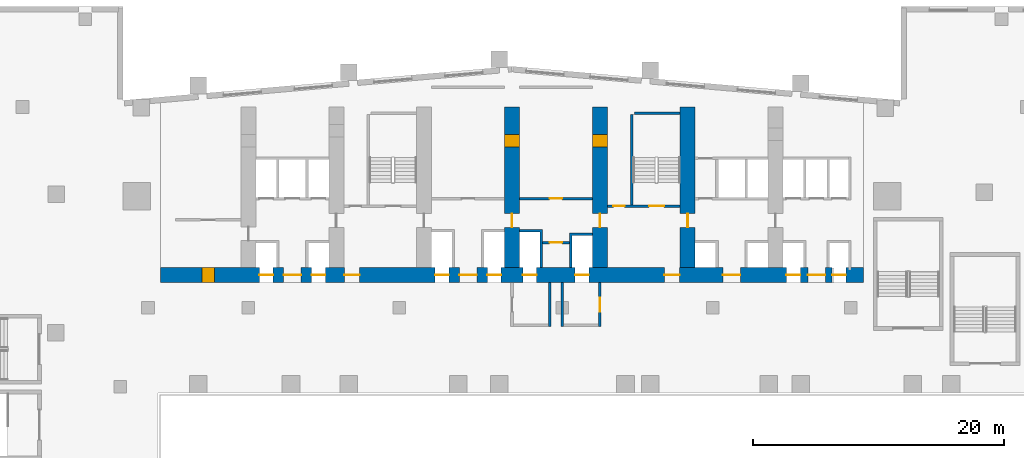
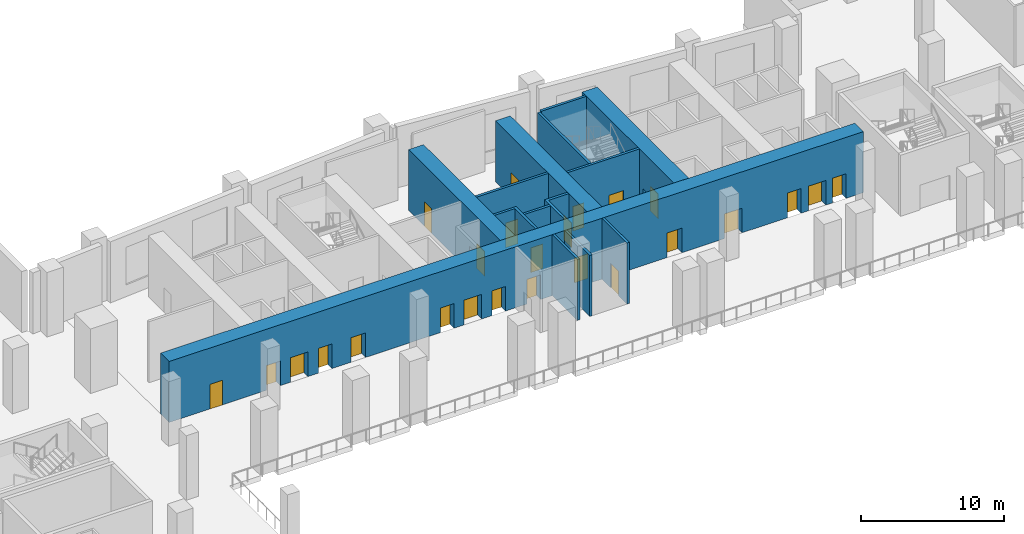
# One storey, part 15 of 25: 25 doors, 14 walls, 25 openings.
"""IFC4 building model written with IfcOpenShell, lengths in metres."""

from ifc_helpers import new_model, si_unit, direction, frame, frame_2d, origin, place, context, subcontext, project, spatial, polyline, rectangle, outline, extrude, material, layer, layer_set, type_object, element, fill, save


model = new_model("IFC4")

# Units and contexts
model_context = context("Model", 3, precision=1e-05, world=origin(), true_north=direction((0.0, 1.0)))
body_context = subcontext(model_context, "Body", "Model", "MODEL_VIEW")
ifc_project = project(units=[si_unit("LENGTHUNIT", "METRE"), si_unit("AREAUNIT", "SQUARE_METRE"), si_unit("VOLUMEUNIT", "CUBIC_METRE"), si_unit("PLANEANGLEUNIT", "RADIAN"), si_unit("MASSUNIT", "GRAM", prefix="KILO")], contexts=[model_context])

# Site, building, storey
site_placement = place(None, origin())
site = spatial("IfcSite", under=ifc_project, at=site_placement, CompositionType="ELEMENT")
building_placement = place(site_placement, origin())
building = spatial("IfcBuilding", under=site, at=building_placement, Name="Wharfspan Tower", CompositionType="ELEMENT")
storey_placement = place(building_placement, frame((0.0, 0.0, 27.5)))
storey = spatial("IfcBuildingStorey", under=building, at=storey_placement, Name="L04", CompositionType="ELEMENT", Elevation=27.5)

# Wall, opening, door
ifc_material_1 = material(Name="Calcium silicate masonry", Category="masonry")
ifc_layer_1 = layer(ifc_material_1, 0.199951)
ifc_layer_set_1 = layer_set([ifc_layer_1], Name="Calcium silicate masonry")
wall_type_1 = type_object("IfcWallType", Name="Core room wall 200", PredefinedType="PARTITIONING", material=ifc_layer_set_1)
wall_1_placement = place(storey_placement, frame((39.43335, 37.199951, 0.0), z_axis=(0.0, 0.0, 1.0), x_axis=(1.0, 0.0, 0.0)))
wall_1 = element("IfcWall", 1, at=wall_1_placement, inside=storey, type_object=wall_type_1, Name="sw:L04:FR4.2", PredefinedType="PARTITIONING", context=body_context, shape_type="SweptSolid", body=[
    extrude(rectangle(XDim=2.133301, YDim=0.199951, at=frame_2d((1.06665, 0.0))), origin(), (0.0, 0.0, 1.0), 5.199951),
])
opening_1_placement = place(wall_1_placement, frame((0.56665, 0.0, 0.0)))
opening_1 = element("IfcOpeningElement", 2, at=opening_1_placement, cuts=wall_1, Name="Opening CD04.4H2", PredefinedType="OPENING", context=body_context, shape_type="SweptSolid", body=[
    extrude(rectangle(XDim=1.0, YDim=2.100098, at=frame_2d((0.5, 1.050049))), frame((0.0, 0.109863, 0.0), z_axis=(0.0, -1.0, 0.0), x_axis=(1.0, 0.0, 0.0)), (0.0, 0.0, 1.0), 0.219971),
])
ifc_material_2 = material(Name="Steel door leaf", Category="steel")
door_type_1 = type_object("IfcDoorType", Name="Core room door 1000x2100", OperationType="SINGLE_SWING_LEFT", PredefinedType="DOOR", material=ifc_material_2)
door_1_placement = place(opening_1_placement, origin())
door_1 = element("IfcDoor", 3, at=door_1_placement, inside=storey, type_object=door_type_1, Name="d:L04:4:fh4.2", OperationType="SINGLE_SWING_RIGHT", OverallHeight=2.100098, OverallWidth=1.0, PredefinedType="DOOR", context=body_context, shape_type="SweptSolid", body=[
    extrude(rectangle(XDim=1.0, YDim=2.100098, at=frame_2d((0.5, 1.050049))), frame((0.0, 0.024902, 0.0), z_axis=(0.0, -1.0, 0.0), x_axis=(1.0, 0.0, 0.0)), (0.0, 0.0, 1.0), 0.050049),
])
fill(opening_1, door_1)

# Wall, openings, doors
ifc_material_3 = material(Name="Concrete C70/85", Category="concrete")
ifc_layer_2 = layer(ifc_material_3, 1.199951)
ifc_layer_set_2 = layer_set([ifc_layer_2], Name="Concrete C70/85")
wall_type_2 = type_object("IfcWallType", Name="Core wall fallback 1.2", PredefinedType="SHEAR", material=ifc_layer_set_2)
wall_2_placement = place(storey_placement, frame((9.0, 34.600098, 0.0), z_axis=(0.0, 0.0, 1.0), x_axis=(1.0, 0.0, 0.0)))
wall_2 = element("IfcWall", 4, at=wall_2_placement, inside=storey, type_object=wall_type_2, Name="cw:L04:FW", PredefinedType="SHEAR", context=body_context, shape_type="SweptSolid", body=[
    extrude(rectangle(XDim=56.0, YDim=1.199951, at=frame_2d((28.0, 0.0))), origin(), (0.0, 0.0, 1.0), 5.199951),
])
opening_2_placement = place(wall_2_placement, frame((3.300049, 0.0, 0.0)))
opening_2 = element("IfcOpeningElement", 5, at=opening_2_placement, cuts=wall_2, Name="Opening CD04.01", PredefinedType="OPENING", context=body_context, shape_type="SweptSolid", body=[
    extrude(rectangle(XDim=1.0, YDim=2.100098, at=frame_2d((0.5, 1.050049))), frame((0.0, 0.609863, 0.0), z_axis=(0.0, -1.0, 0.0), x_axis=(1.0, 0.0, 0.0)), (0.0, 0.0, 1.0), 1.219971),
])
opening_3_placement = place(wall_2_placement, frame((7.866699, 0.0, 0.0)))
opening_3 = element("IfcOpeningElement", 6, at=opening_3_placement, cuts=wall_2, Name="Opening LD.LA1.L04", PredefinedType="OPENING", context=body_context, shape_type="SweptSolid", body=[
    extrude(rectangle(XDim=1.100098, YDim=2.100098, at=frame_2d((0.550049, 1.050049))), frame((0.0, 0.609863, 0.0), z_axis=(0.0, -1.0, 0.0), x_axis=(1.0, 0.0, 0.0)), (0.0, 0.0, 1.0), 1.219971),
])
opening_4_placement = place(wall_2_placement, frame((12.033203, 0.0, 0.0)))
opening_4 = element("IfcOpeningElement", 7, at=opening_4_placement, cuts=wall_2, Name="Opening LD.LA2.L04", PredefinedType="OPENING", context=body_context, shape_type="SweptSolid", body=[
    extrude(rectangle(XDim=1.100098, YDim=2.100098, at=frame_2d((0.550049, 1.050049))), frame((0.0, 0.609863, 0.0), z_axis=(0.0, -1.0, 0.0), x_axis=(1.0, 0.0, 0.0)), (0.0, 0.0, 1.0), 1.219971),
])
opening_5_placement = place(wall_2_placement, frame((9.800049, 0.0, 0.0)))
opening_5 = element("IfcOpeningElement", 8, at=opening_5_placement, cuts=wall_2, Name="Opening HD04.1", PredefinedType="OPENING", context=body_context, shape_type="SweptSolid", body=[
    extrude(rectangle(XDim=1.399902, YDim=2.100098, at=frame_2d((0.699951, 1.050049))), frame((0.0, 0.609863, 0.0), z_axis=(0.0, -1.0, 0.0), x_axis=(1.0, 0.0, 0.0)), (0.0, 0.0, 1.0), 1.219971),
])
opening_6_placement = place(wall_2_placement, frame((14.649902, 0.0, 0.0)))
opening_6 = element("IfcOpeningElement", 9, at=opening_6_placement, cuts=wall_2, Name="Opening SV2.L04", PredefinedType="OPENING", context=body_context, shape_type="SweptSolid", body=[
    extrude(rectangle(XDim=1.199951, YDim=2.100098, at=frame_2d((0.600098, 1.050049))), frame((0.0, 0.609863, 0.0), z_axis=(0.0, -1.0, 0.0), x_axis=(1.0, 0.0, 0.0)), (0.0, 0.0, 1.0), 1.219971),
])
opening_7_placement = place(wall_2_placement, frame((21.866699, 0.0, 0.0)))
opening_7 = element("IfcOpeningElement", 10, at=opening_7_placement, cuts=wall_2, Name="Opening LD.SL1.L04", PredefinedType="OPENING", context=body_context, shape_type="SweptSolid", body=[
    extrude(rectangle(XDim=1.100098, YDim=2.100098, at=frame_2d((0.550049, 1.050049))), frame((0.0, 0.609863, 0.0), z_axis=(0.0, -1.0, 0.0), x_axis=(1.0, 0.0, 0.0)), (0.0, 0.0, 1.0), 1.219971),
])
opening_8_placement = place(wall_2_placement, frame((26.033203, 0.0, 0.0)))
opening_8 = element("IfcOpeningElement", 11, at=opening_8_placement, cuts=wall_2, Name="Opening LD.SL2.L04", PredefinedType="OPENING", context=body_context, shape_type="SweptSolid", body=[
    extrude(rectangle(XDim=1.100098, YDim=2.100098, at=frame_2d((0.550049, 1.050049))), frame((0.0, 0.609863, 0.0), z_axis=(0.0, -1.0, 0.0), x_axis=(1.0, 0.0, 0.0)), (0.0, 0.0, 1.0), 1.219971),
])
opening_9_placement = place(wall_2_placement, frame((23.800049, 0.0, 0.0)))
opening_9 = element("IfcOpeningElement", 12, at=opening_9_placement, cuts=wall_2, Name="Opening HD04.3", PredefinedType="OPENING", context=body_context, shape_type="SweptSolid", body=[
    extrude(rectangle(XDim=1.399902, YDim=2.100098, at=frame_2d((0.699951, 1.050049))), frame((0.0, 0.609863, 0.0), z_axis=(0.0, -1.0, 0.0), x_axis=(1.0, 0.0, 0.0)), (0.0, 0.0, 1.0), 1.219971),
])
opening_10_placement = place(wall_2_placement, frame((28.866699, 0.0, 0.0)))
opening_10 = element("IfcOpeningElement", 13, at=opening_10_placement, cuts=wall_2, Name="Opening LD.FF1.L04", PredefinedType="OPENING", context=body_context, shape_type="SweptSolid", body=[
    extrude(rectangle(XDim=1.100098, YDim=2.100098, at=frame_2d((0.550049, 1.050049))), frame((0.0, 0.609863, 0.0), z_axis=(0.0, -1.0, 0.0), x_axis=(1.0, 0.0, 0.0)), (0.0, 0.0, 1.0), 1.219971),
])
opening_11_placement = place(wall_2_placement, frame((33.033203, 0.0, 0.0)))
opening_11 = element("IfcOpeningElement", 14, at=opening_11_placement, cuts=wall_2, Name="Opening LD.FF2.L04", PredefinedType="OPENING", context=body_context, shape_type="SweptSolid", body=[
    extrude(rectangle(XDim=1.100098, YDim=2.100098, at=frame_2d((0.550049, 1.050049))), frame((0.0, 0.609863, 0.0), z_axis=(0.0, -1.0, 0.0), x_axis=(1.0, 0.0, 0.0)), (0.0, 0.0, 1.0), 1.219971),
])
opening_12_placement = place(wall_2_placement, frame((40.149902, 0.0, 0.0)))
opening_12 = element("IfcOpeningElement", 15, at=opening_12_placement, cuts=wall_2, Name="Opening SV5.L04", PredefinedType="OPENING", context=body_context, shape_type="SweptSolid", body=[
    extrude(rectangle(XDim=1.199951, YDim=2.100098, at=frame_2d((0.600098, 1.050049))), frame((0.0, 0.609863, 0.0), z_axis=(0.0, -1.0, 0.0), x_axis=(1.0, 0.0, 0.0)), (0.0, 0.0, 1.0), 1.219971),
])
opening_13_placement = place(wall_2_placement, frame((44.800049, 0.0, 0.0)))
opening_13 = element("IfcOpeningElement", 16, at=opening_13_placement, cuts=wall_2, Name="Opening HD04.6", PredefinedType="OPENING", context=body_context, shape_type="SweptSolid", body=[
    extrude(rectangle(XDim=1.399902, YDim=2.100098, at=frame_2d((0.699951, 1.050049))), frame((0.0, 0.609863, 0.0), z_axis=(0.0, -1.0, 0.0), x_axis=(1.0, 0.0, 0.0)), (0.0, 0.0, 1.0), 1.219971),
])
opening_14_placement = place(wall_2_placement, frame((49.866699, 0.0, 0.0)))
opening_14 = element("IfcOpeningElement", 17, at=opening_14_placement, cuts=wall_2, Name="Opening LD.LA6.L04", PredefinedType="OPENING", context=body_context, shape_type="SweptSolid", body=[
    extrude(rectangle(XDim=1.100098, YDim=2.100098, at=frame_2d((0.550049, 1.050049))), frame((0.0, 0.609863, 0.0), z_axis=(0.0, -1.0, 0.0), x_axis=(1.0, 0.0, 0.0)), (0.0, 0.0, 1.0), 1.219971),
])
opening_15_placement = place(wall_2_placement, frame((53.5, 0.0, 0.0)))
opening_15 = element("IfcOpeningElement", 18, at=opening_15_placement, cuts=wall_2, Name="Opening LD.LA7.L04", PredefinedType="OPENING", context=body_context, shape_type="SweptSolid", body=[
    extrude(rectangle(XDim=1.100098, YDim=2.100098, at=frame_2d((0.550049, 1.050049))), frame((0.0, 0.609863, 0.0), z_axis=(0.0, -1.0, 0.0), x_axis=(1.0, 0.0, 0.0)), (0.0, 0.0, 1.0), 1.219971),
])
opening_16_placement = place(wall_2_placement, frame((51.56665, 0.0, 0.0)))
opening_16 = element("IfcOpeningElement", 19, at=opening_16_placement, cuts=wall_2, Name="Opening HD04.7", PredefinedType="OPENING", context=body_context, shape_type="SweptSolid", body=[
    extrude(rectangle(XDim=1.399902, YDim=2.100098, at=frame_2d((0.699951, 1.050049))), frame((0.0, 0.609863, 0.0), z_axis=(0.0, -1.0, 0.0), x_axis=(1.0, 0.0, 0.0)), (0.0, 0.0, 1.0), 1.219971),
])
door_2_placement = place(opening_2_placement, origin())
door_2 = element("IfcDoor", 20, at=door_2_placement, inside=storey, type_object=door_type_1, Name="d:L04:0:rf", OperationType="SINGLE_SWING_LEFT", OverallHeight=2.100098, OverallWidth=1.0, PredefinedType="DOOR", context=body_context, shape_type="SweptSolid", body=[
    extrude(rectangle(XDim=1.0, YDim=2.100098, at=frame_2d((0.5, 1.050049))), frame((0.0, 0.599609, 0.0), z_axis=(0.0, -1.0, 0.0), x_axis=(1.0, 0.0, 0.0)), (0.0, 0.0, 1.0), 1.199463),
])
fill(opening_2, door_2)
door_type_2 = type_object("IfcDoorType", Name="Hall entry door 1400x2100", OperationType="DOUBLE_DOOR_SINGLE_SWING", PredefinedType="DOOR", material=ifc_material_2)
door_3_placement = place(opening_5_placement, origin())
door_3 = element("IfcDoor", 21, at=door_3_placement, inside=storey, type_object=door_type_2, Name="d:L04:1:hd1", OperationType="DOUBLE_DOOR_SINGLE_SWING", OverallHeight=2.100098, OverallWidth=1.399902, PredefinedType="DOOR", context=body_context, shape_type="SweptSolid", body=[
    extrude(rectangle(XDim=1.399902, YDim=2.100098, at=frame_2d((0.699951, 1.050049))), frame((0.0, 0.024902, 0.0), z_axis=(0.0, -1.0, 0.0), x_axis=(1.0, 0.0, 0.0)), (0.0, 0.0, 1.0), 0.050049),
])
fill(opening_5, door_3)
door_4_placement = place(opening_9_placement, origin())
door_4 = element("IfcDoor", 22, at=door_4_placement, inside=storey, type_object=door_type_2, Name="d:L04:3:hd3", OperationType="DOUBLE_DOOR_SINGLE_SWING", OverallHeight=2.100098, OverallWidth=1.399902, PredefinedType="DOOR", context=body_context, shape_type="SweptSolid", body=[
    extrude(rectangle(XDim=1.399902, YDim=2.100098, at=frame_2d((0.699951, 1.050049))), frame((0.0, 0.024902, 0.0), z_axis=(0.0, -1.0, 0.0), x_axis=(1.0, 0.0, 0.0)), (0.0, 0.0, 1.0), 0.050049),
])
fill(opening_9, door_4)
door_5_placement = place(opening_13_placement, origin())
door_5 = element("IfcDoor", 23, at=door_5_placement, inside=storey, type_object=door_type_2, Name="d:L04:6:hd6", OperationType="DOUBLE_DOOR_SINGLE_SWING", OverallHeight=2.100098, OverallWidth=1.399902, PredefinedType="DOOR", context=body_context, shape_type="SweptSolid", body=[
    extrude(rectangle(XDim=1.399902, YDim=2.100098, at=frame_2d((0.699951, 1.050049))), frame((0.0, 0.024902, 0.0), z_axis=(0.0, -1.0, 0.0), x_axis=(1.0, 0.0, 0.0)), (0.0, 0.0, 1.0), 0.050049),
])
fill(opening_13, door_5)
door_6_placement = place(opening_16_placement, origin())
door_6 = element("IfcDoor", 24, at=door_6_placement, inside=storey, type_object=door_type_2, Name="d:L04:7:hd7", OperationType="DOUBLE_DOOR_SINGLE_SWING", OverallHeight=2.100098, OverallWidth=1.399902, PredefinedType="DOOR", context=body_context, shape_type="SweptSolid", body=[
    extrude(rectangle(XDim=1.399902, YDim=2.100098, at=frame_2d((0.699951, 1.050049))), frame((0.0, 0.024902, 0.0), z_axis=(0.0, -1.0, 0.0), x_axis=(1.0, 0.0, 0.0)), (0.0, 0.0, 1.0), 0.050049),
])
fill(opening_16, door_6)
ifc_material_4 = material(Name="Stainless steel", Category="steel")
door_type_3 = type_object("IfcDoorType", Name="Lift landing door 1100x2100", OperationType="DOUBLE_DOOR_SLIDING", PredefinedType="DOOR", material=ifc_material_4)
door_7_placement = place(opening_3_placement, origin())
door_7 = element("IfcDoor", 25, at=door_7_placement, inside=storey, type_object=door_type_3, Name="Landing door LA1 L04", OperationType="DOUBLE_DOOR_SLIDING", OverallHeight=2.100098, OverallWidth=1.100098, PredefinedType="DOOR", context=body_context, shape_type="SweptSolid", body=[
    extrude(rectangle(XDim=1.100098, YDim=2.100098, at=frame_2d((0.550049, 1.050049))), frame((0.0, 0.024902, 0.0), z_axis=(0.0, -1.0, 0.0), x_axis=(1.0, 0.0, 0.0)), (0.0, 0.0, 1.0), 0.050049),
])
fill(opening_3, door_7)
door_8_placement = place(opening_4_placement, origin())
door_8 = element("IfcDoor", 26, at=door_8_placement, inside=storey, type_object=door_type_3, Name="Landing door LA2 L04", OperationType="DOUBLE_DOOR_SLIDING", OverallHeight=2.100098, OverallWidth=1.100098, PredefinedType="DOOR", context=body_context, shape_type="SweptSolid", body=[
    extrude(rectangle(XDim=1.100098, YDim=2.100098, at=frame_2d((0.550049, 1.050049))), frame((0.0, 0.024902, 0.0), z_axis=(0.0, -1.0, 0.0), x_axis=(1.0, 0.0, 0.0)), (0.0, 0.0, 1.0), 0.050049),
])
fill(opening_4, door_8)
door_9_placement = place(opening_7_placement, origin())
door_9 = element("IfcDoor", 27, at=door_9_placement, inside=storey, type_object=door_type_3, Name="Landing door SL1 L04", OperationType="DOUBLE_DOOR_SLIDING", OverallHeight=2.100098, OverallWidth=1.100098, PredefinedType="DOOR", context=body_context, shape_type="SweptSolid", body=[
    extrude(rectangle(XDim=1.100098, YDim=2.100098, at=frame_2d((0.550049, 1.050049))), frame((0.0, 0.024902, 0.0), z_axis=(0.0, -1.0, 0.0), x_axis=(1.0, 0.0, 0.0)), (0.0, 0.0, 1.0), 0.050049),
])
fill(opening_7, door_9)
door_10_placement = place(opening_8_placement, origin())
door_10 = element("IfcDoor", 28, at=door_10_placement, inside=storey, type_object=door_type_3, Name="Landing door SL2 L04", OperationType="DOUBLE_DOOR_SLIDING", OverallHeight=2.100098, OverallWidth=1.100098, PredefinedType="DOOR", context=body_context, shape_type="SweptSolid", body=[
    extrude(rectangle(XDim=1.100098, YDim=2.100098, at=frame_2d((0.550049, 1.050049))), frame((0.0, 0.024902, 0.0), z_axis=(0.0, -1.0, 0.0), x_axis=(1.0, 0.0, 0.0)), (0.0, 0.0, 1.0), 0.050049),
])
fill(opening_8, door_10)
door_11_placement = place(opening_10_placement, origin())
door_11 = element("IfcDoor", 29, at=door_11_placement, inside=storey, type_object=door_type_3, Name="Landing door FF1 L04", OperationType="DOUBLE_DOOR_SLIDING", OverallHeight=2.100098, OverallWidth=1.100098, PredefinedType="DOOR", context=body_context, shape_type="SweptSolid", body=[
    extrude(rectangle(XDim=1.100098, YDim=2.100098, at=frame_2d((0.550049, 1.050049))), frame((0.0, 0.024902, 0.0), z_axis=(0.0, -1.0, 0.0), x_axis=(1.0, 0.0, 0.0)), (0.0, 0.0, 1.0), 0.050049),
])
fill(opening_10, door_11)
door_12_placement = place(opening_11_placement, origin())
door_12 = element("IfcDoor", 30, at=door_12_placement, inside=storey, type_object=door_type_3, Name="Landing door FF2 L04", OperationType="DOUBLE_DOOR_SLIDING", OverallHeight=2.100098, OverallWidth=1.100098, PredefinedType="DOOR", context=body_context, shape_type="SweptSolid", body=[
    extrude(rectangle(XDim=1.100098, YDim=2.100098, at=frame_2d((0.550049, 1.050049))), frame((0.0, 0.024902, 0.0), z_axis=(0.0, -1.0, 0.0), x_axis=(1.0, 0.0, 0.0)), (0.0, 0.0, 1.0), 0.050049),
])
fill(opening_11, door_12)
door_13_placement = place(opening_14_placement, origin())
door_13 = element("IfcDoor", 31, at=door_13_placement, inside=storey, type_object=door_type_3, Name="Landing door LA6 L04", OperationType="DOUBLE_DOOR_SLIDING", OverallHeight=2.100098, OverallWidth=1.100098, PredefinedType="DOOR", context=body_context, shape_type="SweptSolid", body=[
    extrude(rectangle(XDim=1.100098, YDim=2.100098, at=frame_2d((0.550049, 1.050049))), frame((0.0, 0.024902, 0.0), z_axis=(0.0, -1.0, 0.0), x_axis=(1.0, 0.0, 0.0)), (0.0, 0.0, 1.0), 0.050049),
])
fill(opening_14, door_13)
door_14_placement = place(opening_15_placement, origin())
door_14 = element("IfcDoor", 32, at=door_14_placement, inside=storey, type_object=door_type_3, Name="Landing door LA7 L04", OperationType="DOUBLE_DOOR_SLIDING", OverallHeight=2.100098, OverallWidth=1.100098, PredefinedType="DOOR", context=body_context, shape_type="SweptSolid", body=[
    extrude(rectangle(XDim=1.100098, YDim=2.100098, at=frame_2d((0.550049, 1.050049))), frame((0.0, 0.024902, 0.0), z_axis=(0.0, -1.0, 0.0), x_axis=(1.0, 0.0, 0.0)), (0.0, 0.0, 1.0), 0.050049),
])
fill(opening_15, door_14)
door_type_4 = type_object("IfcDoorType", Name="Stair door 1200x2100", OperationType="SINGLE_SWING_LEFT", PredefinedType="DOOR", material=ifc_material_2)
door_15_placement = place(opening_6_placement, origin())
door_15 = element("IfcDoor", 33, at=door_15_placement, inside=storey, type_object=door_type_4, Name="vd:L04:2", OperationType="SINGLE_SWING_LEFT", OverallHeight=2.100098, OverallWidth=1.199951, PredefinedType="DOOR", context=body_context, shape_type="SweptSolid", body=[
    extrude(rectangle(XDim=1.199951, YDim=2.100098, at=frame_2d((0.600098, 1.050049))), frame((0.0, 0.024902, 0.0), z_axis=(0.0, -1.0, 0.0), x_axis=(1.0, 0.0, 0.0)), (0.0, 0.0, 1.0), 0.050049),
])
fill(opening_6, door_15)
door_16_placement = place(opening_12_placement, origin())
door_16 = element("IfcDoor", 34, at=door_16_placement, inside=storey, type_object=door_type_4, Name="vd:L04:5", OperationType="SINGLE_SWING_LEFT", OverallHeight=2.100098, OverallWidth=1.199951, PredefinedType="DOOR", context=body_context, shape_type="SweptSolid", body=[
    extrude(rectangle(XDim=1.199951, YDim=2.100098, at=frame_2d((0.600098, 1.050049))), frame((0.0, 0.024902, 0.0), z_axis=(0.0, -1.0, 0.0), x_axis=(1.0, 0.0, 0.0)), (0.0, 0.0, 1.0), 0.050049),
])
fill(opening_12, door_16)

wall_3_placement = place(storey_placement, frame((37.0, 35.199951, 0.0), z_axis=(0.0, 0.0, 1.0), x_axis=(0.0, 1.0, 0.0)))
wall_3 = element("IfcWall", 35, at=wall_3_placement, inside=storey, type_object=wall_type_2, Name="cw:L04:X4", PredefinedType="SHEAR", context=body_context, shape_type="SweptSolid", body=[
    extrude(rectangle(XDim=12.800049, YDim=1.199951, at=frame_2d((6.399902, 0.0))), origin(), (0.0, 0.0, 1.0), 5.199951),
])
opening_17_placement = place(wall_3_placement, frame((3.199951, 0.0, 0.0)))
opening_17 = element("IfcOpeningElement", 36, at=opening_17_placement, cuts=wall_3, Name="Opening CC04.4", PredefinedType="OPENING", context=body_context, shape_type="SweptSolid", body=[
    extrude(rectangle(XDim=1.100098, YDim=2.100098, at=frame_2d((0.550049, 1.050049))), frame((0.0, 0.609863, 0.0), z_axis=(0.0, -1.0, 0.0), x_axis=(1.0, 0.0, 0.0)), (0.0, 0.0, 1.0), 1.219971),
])
opening_18_placement = place(wall_3_placement, frame((9.600098, 0.0, 0.0)))
opening_18 = element("IfcOpeningElement", 37, at=opening_18_placement, cuts=wall_3, Name="Opening CR04.4", PredefinedType="OPENING", context=body_context, shape_type="SweptSolid", body=[
    extrude(rectangle(XDim=1.0, YDim=2.100098, at=frame_2d((0.5, 1.050049))), frame((0.0, 0.609863, 0.0), z_axis=(0.0, -1.0, 0.0), x_axis=(1.0, 0.0, 0.0)), (0.0, 0.0, 1.0), 1.219971),
])
door_type_5 = type_object("IfcDoorType", Name="Core corridor door 1100x2100", OperationType="SINGLE_SWING_LEFT", PredefinedType="DOOR", material=ifc_material_2)
door_17_placement = place(opening_17_placement, origin())
door_17 = element("IfcDoor", 38, at=door_17_placement, inside=storey, type_object=door_type_5, Name="xd:L04:4", OperationType="SINGLE_SWING_RIGHT", OverallHeight=2.100098, OverallWidth=1.100098, PredefinedType="DOOR", context=body_context, shape_type="SweptSolid", body=[
    extrude(rectangle(XDim=1.100098, YDim=2.100098, at=frame_2d((0.550049, 1.050049))), frame((0.0, 0.024902, 0.0), z_axis=(0.0, -1.0, 0.0), x_axis=(1.0, 0.0, 0.0)), (0.0, 0.0, 1.0), 0.050049),
])
fill(opening_17, door_17)
door_18_placement = place(opening_18_placement, origin())
door_18 = element("IfcDoor", 39, at=door_18_placement, inside=storey, type_object=door_type_1, Name="xr:L04:4", OperationType="SINGLE_SWING_RIGHT", OverallHeight=2.100098, OverallWidth=1.0, PredefinedType="DOOR", context=body_context, shape_type="SweptSolid", body=[
    extrude(rectangle(XDim=1.0, YDim=2.100098, at=frame_2d((0.5, 1.050049))), frame((0.0, 0.599609, 0.0), z_axis=(0.0, -1.0, 0.0), x_axis=(1.0, 0.0, 0.0)), (0.0, 0.0, 1.0), 1.199463),
])
fill(opening_18, door_18)

wall_4_placement = place(storey_placement, frame((44.0, 35.199951, 0.0), z_axis=(0.0, 0.0, 1.0), x_axis=(0.0, 1.0, 0.0)))
wall_4 = element("IfcWall", 40, at=wall_4_placement, inside=storey, type_object=wall_type_2, Name="cw:L04:X5", PredefinedType="SHEAR", context=body_context, shape_type="SweptSolid", body=[
    extrude(rectangle(XDim=12.800049, YDim=1.199951, at=frame_2d((6.399902, 0.0))), origin(), (0.0, 0.0, 1.0), 5.199951),
])
opening_19_placement = place(wall_4_placement, frame((3.199951, 0.0, 0.0)))
opening_19 = element("IfcOpeningElement", 41, at=opening_19_placement, cuts=wall_4, Name="Opening CC04.5", PredefinedType="OPENING", context=body_context, shape_type="SweptSolid", body=[
    extrude(rectangle(XDim=1.100098, YDim=2.100098, at=frame_2d((0.550049, 1.050049))), frame((0.0, 0.609863, 0.0), z_axis=(0.0, -1.0, 0.0), x_axis=(1.0, 0.0, 0.0)), (0.0, 0.0, 1.0), 1.219971),
])
opening_20_placement = place(wall_4_placement, frame((9.600098, 0.0, 0.0)))
opening_20 = element("IfcOpeningElement", 42, at=opening_20_placement, cuts=wall_4, Name="Opening CR04.5", PredefinedType="OPENING", context=body_context, shape_type="SweptSolid", body=[
    extrude(rectangle(XDim=1.0, YDim=2.100098, at=frame_2d((0.5, 1.050049))), frame((0.0, 0.609863, 0.0), z_axis=(0.0, -1.0, 0.0), x_axis=(1.0, 0.0, 0.0)), (0.0, 0.0, 1.0), 1.219971),
])
door_19_placement = place(opening_19_placement, origin())
door_19 = element("IfcDoor", 43, at=door_19_placement, inside=storey, type_object=door_type_5, Name="xd:L04:5", OperationType="SINGLE_SWING_LEFT", OverallHeight=2.100098, OverallWidth=1.100098, PredefinedType="DOOR", context=body_context, shape_type="SweptSolid", body=[
    extrude(rectangle(XDim=1.100098, YDim=2.100098, at=frame_2d((0.550049, 1.050049))), frame((0.0, 0.024902, 0.0), z_axis=(0.0, -1.0, 0.0), x_axis=(1.0, 0.0, 0.0)), (0.0, 0.0, 1.0), 0.050049),
])
fill(opening_19, door_19)
door_20_placement = place(opening_20_placement, origin())
door_20 = element("IfcDoor", 44, at=door_20_placement, inside=storey, type_object=door_type_1, Name="xr:L04:5", OperationType="SINGLE_SWING_RIGHT", OverallHeight=2.100098, OverallWidth=1.0, PredefinedType="DOOR", context=body_context, shape_type="SweptSolid", body=[
    extrude(rectangle(XDim=1.0, YDim=2.100098, at=frame_2d((0.5, 1.050049))), frame((0.0, 0.599609, 0.0), z_axis=(0.0, -1.0, 0.0), x_axis=(1.0, 0.0, 0.0)), (0.0, 0.0, 1.0), 1.199463),
])
fill(opening_20, door_20)

# Wall, opening, door
wall_5_placement = place(storey_placement, frame((51.0, 35.199951, 0.0), z_axis=(0.0, 0.0, 1.0), x_axis=(0.0, 1.0, 0.0)))
wall_5 = element("IfcWall", 45, at=wall_5_placement, inside=storey, type_object=wall_type_2, Name="cw:L04:X6", PredefinedType="SHEAR", context=body_context, shape_type="SweptSolid", body=[
    extrude(rectangle(XDim=12.800049, YDim=1.199951, at=frame_2d((6.399902, 0.0))), origin(), (0.0, 0.0, 1.0), 5.199951),
])
opening_21_placement = place(wall_5_placement, frame((3.199951, 0.0, 0.0)))
opening_21 = element("IfcOpeningElement", 46, at=opening_21_placement, cuts=wall_5, Name="Opening CC04.6", PredefinedType="OPENING", context=body_context, shape_type="SweptSolid", body=[
    extrude(rectangle(XDim=1.100098, YDim=2.100098, at=frame_2d((0.550049, 1.050049))), frame((0.0, 0.609863, 0.0), z_axis=(0.0, -1.0, 0.0), x_axis=(1.0, 0.0, 0.0)), (0.0, 0.0, 1.0), 1.219971),
])
door_21_placement = place(opening_21_placement, origin())
door_21 = element("IfcDoor", 47, at=door_21_placement, inside=storey, type_object=door_type_5, Name="xd:L04:6", OperationType="SINGLE_SWING_RIGHT", OverallHeight=2.100098, OverallWidth=1.100098, PredefinedType="DOOR", context=body_context, shape_type="SweptSolid", body=[
    extrude(rectangle(XDim=1.100098, YDim=2.100098, at=frame_2d((0.550049, 1.050049))), frame((0.0, 0.024902, 0.0), z_axis=(0.0, -1.0, 0.0), x_axis=(1.0, 0.0, 0.0)), (0.0, 0.0, 1.0), 0.050049),
])
fill(opening_21, door_21)

ifc_material_5 = material(Name="Concrete C30/37", Category="concrete")
ifc_layer_3 = layer(ifc_material_5, 0.199951)
ifc_layer_set_3 = layer_set([ifc_layer_3], Name="Concrete C30/37")
wall_type_3 = type_object("IfcWallType", Name="Lift shaft wall 200", PredefinedType="PARTITIONING", material=ifc_layer_set_3)
wall_6_placement = place(storey_placement, frame((37.600098, 40.699951, 0.0), z_axis=(0.0, 0.0, 1.0), x_axis=(1.0, 0.0, 0.0)))
wall_6 = element("IfcWall", 48, at=wall_6_placement, inside=storey, type_object=wall_type_3, Name="sw:L04:RF4", PredefinedType="PARTITIONING", context=body_context, shape_type="SweptSolid", body=[
    extrude(rectangle(XDim=5.799805, YDim=0.199951, at=frame_2d((2.899902, 0.0))), origin(), (0.0, 0.0, 1.0), 5.199951),
])
opening_22_placement = place(wall_6_placement, frame((2.399902, 0.0, 0.0)))
opening_22 = element("IfcOpeningElement", 49, at=opening_22_placement, cuts=wall_6, Name="Opening CD04.4S", PredefinedType="OPENING", context=body_context, shape_type="SweptSolid", body=[
    extrude(rectangle(XDim=1.0, YDim=2.100098, at=frame_2d((0.5, 1.050049))), frame((0.0, 0.109863, 0.0), z_axis=(0.0, -1.0, 0.0), x_axis=(1.0, 0.0, 0.0)), (0.0, 0.0, 1.0), 0.219971),
])
door_22_placement = place(opening_22_placement, origin())
door_22 = element("IfcDoor", 50, at=door_22_placement, inside=storey, type_object=door_type_1, Name="d:L04:4:sf", OperationType="SINGLE_SWING_LEFT", OverallHeight=2.100098, OverallWidth=1.0, PredefinedType="DOOR", context=body_context, shape_type="SweptSolid", body=[
    extrude(rectangle(XDim=1.0, YDim=2.100098, at=frame_2d((0.5, 1.050049))), frame((0.0, 0.024902, 0.0), z_axis=(0.0, -1.0, 0.0), x_axis=(1.0, 0.0, 0.0)), (0.0, 0.0, 1.0), 0.050049),
])
fill(opening_22, door_22)

# Walls
wall_7_placement = place(storey_placement, frame((0.0, 0.0, -0.000244)))
element("IfcWall", 51, at=wall_7_placement, inside=storey, type_object=wall_type_3, Name="sw:L04:FM4.0", PredefinedType="PARTITIONING", context=body_context, shape_type="SweptSolid", body=[
    extrude(outline(polyline([(41.56665, 37.949951), (41.766602, 37.949951), (43.399902, 37.949951), (43.399902, 37.75), (41.766602, 37.75), (41.766602, 35.199951), (41.56665, 35.199951), (41.56665, 37.949951)])), origin(), (0.0, 0.0, 1.0), 5.200195),
])
wall_8_placement = place(storey_placement, frame((0.0, 0.0, -0.000244)))
element("IfcWall", 52, at=wall_8_placement, inside=storey, type_object=wall_type_3, Name="sw:L04:FM4.1", PredefinedType="PARTITIONING", context=body_context, shape_type="SweptSolid", body=[
    extrude(outline(polyline([(39.233398, 38.050049), (37.600098, 38.050049), (37.600098, 38.25), (39.233398, 38.25), (39.43335, 38.25), (39.43335, 35.199951), (39.233398, 35.199951), (39.233398, 38.050049)])), origin(), (0.0, 0.0, 1.0), 5.200195),
])
ifc_layer_4 = layer(ifc_material_5, 0.199951)
ifc_layer_set_4 = layer_set([ifc_layer_4], Name="Concrete C30/37")
wall_type_4 = type_object("IfcWallType", Name="Lobby wall 200", PredefinedType="PARTITIONING", material=ifc_layer_set_4)
for number, where, z_axis, x_axis, name in (
    (53, (40.0, 30.5, 0.0), (0.0, 0.0, 1.0), (0.0, 1.0, 0.0), "sw:L04:FLFF1E"),
    (54, (41.0, 30.5, 0.0), (0.0, 0.0, 1.0), (0.0, 1.0, 0.0), "sw:L04:FLFF2W"),
):
    element("IfcWall", number, at=place(storey_placement, frame(where, z_axis=z_axis, x_axis=x_axis)), inside=storey, type_object=wall_type_4, Name=name, PredefinedType="PARTITIONING", context=body_context, shape_type="SweptSolid", body=[
        extrude(rectangle(XDim=3.5, YDim=0.199951, at=frame_2d((1.75, 0.0))), origin(), (0.0, 0.0, 1.0), 5.199951),
    ])

# Wall, opening, door
wall_9_placement = place(storey_placement, frame((44.0, 30.5, 0.0), z_axis=(0.0, 0.0, 1.0), x_axis=(0.0, 1.0, 0.0)))
wall_9 = element("IfcWall", 55, at=wall_9_placement, inside=storey, type_object=wall_type_4, Name="sw:L04:FLFF2E", PredefinedType="PARTITIONING", context=body_context, shape_type="SweptSolid", body=[
    extrude(rectangle(XDim=3.5, YDim=0.199951, at=frame_2d((1.75, 0.0))), origin(), (0.0, 0.0, 1.0), 5.199951),
])
opening_23_placement = place(wall_9_placement, frame((1.199951, 0.0, 0.0)))
opening_23 = element("IfcOpeningElement", 56, at=opening_23_placement, cuts=wall_9, Name="Opening FL.FF2.L04", PredefinedType="OPENING", context=body_context, shape_type="SweptSolid", body=[
    extrude(rectangle(XDim=1.100098, YDim=2.100098, at=frame_2d((0.550049, 1.050049))), frame((0.0, 0.109863, 0.0), z_axis=(0.0, -1.0, 0.0), x_axis=(1.0, 0.0, 0.0)), (0.0, 0.0, 1.0), 0.219971),
])
door_type_6 = type_object("IfcDoorType", Name="Firefighting lobby door 1100x2100", OperationType="SINGLE_SWING_LEFT", PredefinedType="DOOR", material=ifc_material_2)
door_23_placement = place(opening_23_placement, origin())
door_23 = element("IfcDoor", 57, at=door_23_placement, inside=storey, type_object=door_type_6, Name="fd:L04:FF2", OperationType="SINGLE_SWING_LEFT", OverallHeight=2.100098, OverallWidth=1.100098, PredefinedType="DOOR", context=body_context, shape_type="SweptSolid", body=[
    extrude(rectangle(XDim=1.100098, YDim=2.100098, at=frame_2d((0.550049, 1.050049))), frame((0.0, 0.024902, 0.0), z_axis=(0.0, -1.0, 0.0), x_axis=(1.0, 0.0, 0.0)), (0.0, 0.0, 1.0), 0.050049),
])
fill(opening_23, door_23)

# Wall, openings, doors
ifc_material_6 = material(Name="Concrete C40/50", Category="concrete")
ifc_layer_5 = layer(ifc_material_6, 0.199951)
ifc_layer_set_5 = layer_set([ifc_layer_5], Name="Concrete C40/50")
wall_type_5 = type_object("IfcWallType", Name="Stair shaft wall 200", PredefinedType="SHEAR", material=ifc_layer_set_5)
wall_10_placement = place(storey_placement, frame((44.600098, 40.100098, 0.0), z_axis=(0.0, 0.0, 1.0), x_axis=(1.0, 0.0, 0.0)))
wall_10 = element("IfcWall", 58, at=wall_10_placement, inside=storey, type_object=wall_type_5, Name="ST2 stair enclosure wall L04", PredefinedType="SHEAR", context=body_context, shape_type="SweptSolid", body=[
    extrude(rectangle(XDim=5.799805, YDim=0.199951, at=frame_2d((2.899902, 0.0))), origin(), (0.0, 0.0, 1.0), 5.199951),
])
opening_24_placement = place(wall_10_placement, frame((3.324951, 0.0, 0.0)))
opening_24 = element("IfcOpeningElement", 59, at=opening_24_placement, cuts=wall_10, Name="Opening SD5.L04", PredefinedType="OPENING", context=body_context, shape_type="SweptSolid", body=[
    extrude(rectangle(XDim=1.199951, YDim=2.100098, at=frame_2d((0.600098, 1.050049))), frame((0.0, 0.109863, 0.0), z_axis=(0.0, -1.0, 0.0), x_axis=(1.0, 0.0, 0.0)), (0.0, 0.0, 1.0), 0.219971),
])
opening_25_placement = place(wall_10_placement, frame((0.475098, 0.0, 0.0)))
opening_25 = element("IfcOpeningElement", 60, at=opening_25_placement, cuts=wall_10, Name="Opening CD04.5R", PredefinedType="OPENING", context=body_context, shape_type="SweptSolid", body=[
    extrude(rectangle(XDim=0.899902, YDim=2.100098, at=frame_2d((0.449951, 1.050049))), frame((0.0, 0.109863, 0.0), z_axis=(0.0, -1.0, 0.0), x_axis=(1.0, 0.0, 0.0)), (0.0, 0.0, 1.0), 0.219971),
])
door_24_placement = place(opening_25_placement, origin())
door_24 = element("IfcDoor", 61, at=door_24_placement, inside=storey, type_object=door_type_1, Name="rk:L04:5", OperationType="SINGLE_SWING_LEFT", OverallHeight=2.100098, OverallWidth=0.899902, PredefinedType="DOOR", context=body_context, shape_type="SweptSolid", body=[
    extrude(rectangle(XDim=0.899902, YDim=2.100098, at=frame_2d((0.449951, 1.050049))), frame((0.0, 0.024902, 0.0), z_axis=(0.0, -1.0, 0.0), x_axis=(1.0, 0.0, 0.0)), (0.0, 0.0, 1.0), 0.050049),
])
fill(opening_25, door_24)
door_25_placement = place(opening_24_placement, origin())
door_25 = element("IfcDoor", 62, at=door_25_placement, inside=storey, type_object=door_type_4, Name="sd:L04:5", OperationType="SINGLE_SWING_RIGHT", OverallHeight=2.100098, OverallWidth=1.199951, PredefinedType="DOOR", context=body_context, shape_type="SweptSolid", body=[
    extrude(rectangle(XDim=1.199951, YDim=2.100098, at=frame_2d((0.600098, 1.050049))), frame((0.0, 0.024902, 0.0), z_axis=(0.0, -1.0, 0.0), x_axis=(1.0, 0.0, 0.0)), (0.0, 0.0, 1.0), 0.050049),
])
fill(opening_24, door_25)

# Walls
wall_11_placement = place(storey_placement, frame((46.550049, 40.199951, 0.0), z_axis=(0.0, 0.0, 1.0), x_axis=(0.0, 1.0, 0.0)))
element("IfcWall", 63, at=wall_11_placement, inside=storey, type_object=wall_type_5, Name="ST2 stair enclosure wall L04", PredefinedType="SHEAR", context=body_context, shape_type="SweptSolid", body=[
    extrude(rectangle(XDim=7.199951, YDim=0.199951, at=frame_2d((3.600098, 0.0))), origin(), (0.0, 0.0, 1.0), 5.199951),
])
wall_12_placement = place(storey_placement, frame((46.75, 47.5, 0.0), z_axis=(0.0, 0.0, 1.0), x_axis=(1.0, 0.0, 0.0)))
element("IfcWall", 64, at=wall_12_placement, inside=storey, type_object=wall_type_5, Name="ST2 stair enclosure wall L04", PredefinedType="SHEAR", context=body_context, shape_type="SweptSolid", body=[
    extrude(rectangle(XDim=3.649902, YDim=0.199951, at=frame_2d((1.824951, 0.0))), origin(), (0.0, 0.0, 1.0), 5.199951),
])

save(model, "model.ifc")
